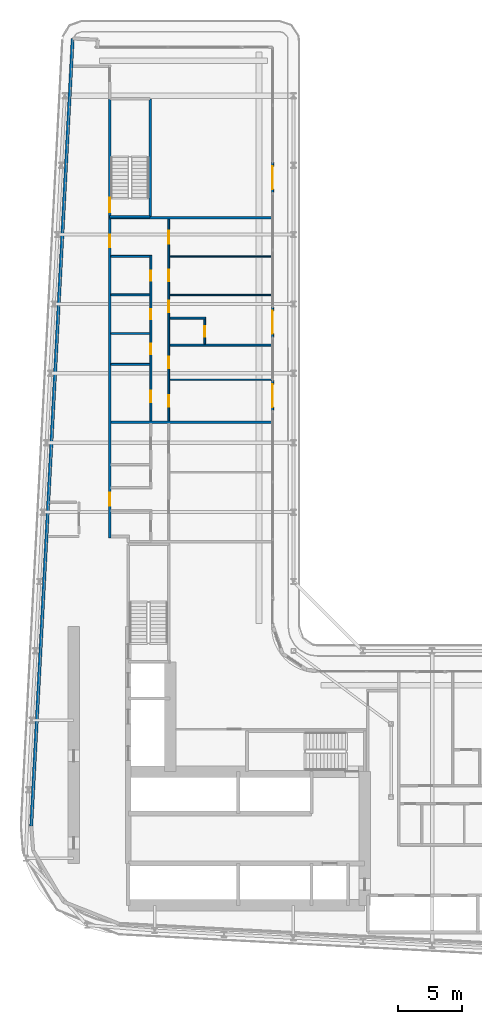
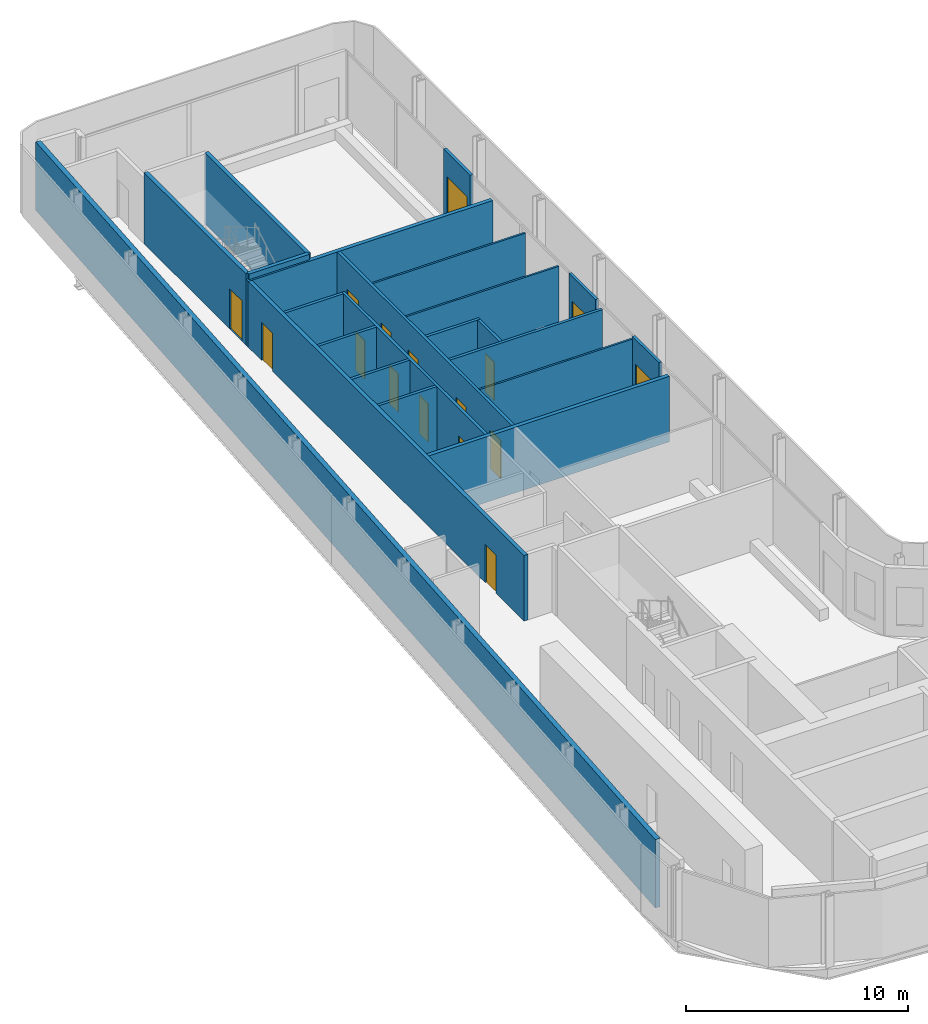
# One storey, part 16 of 25: 22 walls, 16 doors, 16 openings.
"""IFC4 building model written with IfcOpenShell, lengths in metres."""

from ifc_helpers import new_model, si_unit, direction, frame, frame_2d, origin, place, context, subcontext, project, spatial, rectangle, extrude, source, transform, mapped, material, layer, layer_set, type_object, element, fill, save


model = new_model("IFC4")

# Units and contexts
model_context = context("Model", 3, precision=1e-05, world=origin(), true_north=direction((0.0, 1.0)))
body_context = subcontext(model_context, "Body", "Model", "MODEL_VIEW")
ifc_project = project(units=[si_unit("LENGTHUNIT", "METRE"), si_unit("AREAUNIT", "SQUARE_METRE"), si_unit("VOLUMEUNIT", "CUBIC_METRE"), si_unit("PLANEANGLEUNIT", "RADIAN"), si_unit("MASSUNIT", "GRAM", prefix="KILO")], contexts=[model_context])

# Site, building, storey
site_placement = place(None, origin())
site = spatial("IfcSite", under=ifc_project, at=site_placement, CompositionType="ELEMENT")
building_placement = place(site_placement, origin())
building = spatial("IfcBuilding", under=site, at=building_placement, Name="Kheshtan School and Residences Tower", CompositionType="ELEMENT")
storey_placement = place(building_placement, frame((0.0, 0.0, 109.699951171875)))
storey = spatial("IfcBuildingStorey", under=building, at=storey_placement, Name="L25", CompositionType="ELEMENT", Elevation=109.699951171875)

# Wall, openings, doors
ifc_material_1 = material(Name="Gypsum board on steel studs with fire boards", Category="steel")
ifc_layer_1 = layer(ifc_material_1, 0.199951171875)
ifc_layer_set_1 = layer_set([ifc_layer_1], Name="Corridor wall 200")
wall_type_1 = type_object("IfcWallType", Name="Corridor wall 200", PredefinedType="PARTITIONING", material=ifc_layer_set_1)
wall_1_placement = place(storey_placement, frame((33.300048828125, 54.39990234375, 0.0), z_axis=(0.0, 0.0, 1.0), x_axis=(0.0, 1.0, 0.0)))
wall_1 = element("IfcWall", 1, at=wall_1_placement, inside=storey, type_object=wall_type_1, Name="Partition L25-003", PredefinedType="PARTITIONING", context=body_context, shape_type="SweptSolid", body=[
    extrude(rectangle(XDim=24.800048828125, YDim=0.199951171875, at=frame_2d((12.39990234375, 0.0))), origin(), (0.0, 0.0, 1.0), 3.60009765625),
])
opening_1_placement = place(wall_1_placement, frame((2.5, 0.0, 0.0)))
opening_1 = element("IfcOpeningElement", 2, at=opening_1_placement, cuts=wall_1, Name="Opening D25-035", PredefinedType="OPENING", context=body_context, shape_type="SweptSolid", body=[
    extrude(rectangle(XDim=1.0, YDim=2.10009765625, at=frame_2d((0.5, 1.050048828125))), frame((0.0, 0.10986328125, 0.0), z_axis=(0.0, -1.0, 0.0), x_axis=(1.0, 0.0, 0.0)), (0.0, 0.0, 1.0), 0.219970703125),
])
opening_2_placement = place(wall_1_placement, frame((22.60009765625, 0.0, 0.0)))
opening_2 = element("IfcOpeningElement", 3, at=opening_2_placement, cuts=wall_1, Name="Opening D25-044", PredefinedType="OPENING", context=body_context, shape_type="SweptSolid", body=[
    extrude(rectangle(XDim=1.0, YDim=2.10009765625, at=frame_2d((0.5, 1.050048828125))), frame((0.0, 0.10986328125, 0.0), z_axis=(0.0, -1.0, 0.0), x_axis=(1.0, 0.0, 0.0)), (0.0, 0.0, 1.0), 0.219970703125),
])
ifc_material_2 = material(Name="Steel-framed fire-resisting door leaf", Category="steel")
door_type_1 = type_object("IfcDoorType", Name="Fire door FD30S 1000 x 2100", OperationType="SINGLE_SWING_LEFT", PredefinedType="DOOR", material=ifc_material_2)
shared_shape_1 = source(origin(), body_context, "Body", "SweptSolid", [
    extrude(rectangle(XDim=1.0, YDim=2.10009765625, at=frame_2d((0.5, 1.050048828125))), frame((0.0, 0.02490234375, 0.0), z_axis=(0.0, -1.0, 0.0), x_axis=(1.0, 0.0, 0.0)), (0.0, 0.0, 1.0), 0.050048828125),
])
door_1_placement = place(opening_1_placement, origin())
door_1 = element("IfcDoor", 4, at=door_1_placement, inside=storey, type_object=door_type_1, Name="Door D25-035", OperationType="SINGLE_SWING_RIGHT", OverallHeight=2.10009765625, OverallWidth=1.0, PredefinedType="DOOR", context=body_context, shape_type="MappedRepresentation", body=[
    mapped(shared_shape_1, transform((0.0, 0.0, 0.0), x_axis=(1.0, 0.0, 0.0), y_axis=(0.0, 1.0, 0.0), z_axis=(0.0, 0.0, 1.0), scale=1.0)),
])
fill(opening_1, door_1)
door_2_placement = place(opening_2_placement, origin())
door_2 = element("IfcDoor", 5, at=door_2_placement, inside=storey, type_object=door_type_1, Name="Door D25-044", OperationType="SINGLE_SWING_RIGHT", OverallHeight=2.10009765625, OverallWidth=1.0, PredefinedType="DOOR", context=body_context, shape_type="MappedRepresentation", body=[
    mapped(shared_shape_1, transform((0.0, 0.0, 0.0), x_axis=(1.0, 0.0, 0.0), y_axis=(0.0, 1.0, 0.0), z_axis=(0.0, 0.0, 1.0), scale=1.0)),
])
fill(opening_2, door_2)

# Wall
ifc_material_3 = material(Name="Concrete C40/50 with ceramic cladding and mineral wool insulation", Category="concrete")
ifc_layer_2 = layer(ifc_material_3, 0.25)
ifc_layer_set_2 = layer_set([ifc_layer_2], Name="External wall 250 ceramic clad")
wall_type_2 = type_object("IfcWallType", Name="External wall 250 ceramic clad", PredefinedType="SOLIDWALL", material=ifc_layer_set_2)
wall_2_placement = place(storey_placement, frame((27.195068359375, 31.968994140625, 0.0), z_axis=(0.0, 0.0, 1.0), x_axis=(0.052555284099, 0.998618016117, 0.0)))
element("IfcWall", 6, at=wall_2_placement, inside=storey, type_object=wall_type_2, Name="External wall L25 16", PredefinedType="SOLIDWALL", context=body_context, shape_type="SweptSolid", body=[
    extrude(rectangle(XDim=61.379638671875, YDim=0.25, at=frame_2d((30.68994140625, 0.0))), origin(), (0.0, 0.0, 1.0), 3.75),
])

# Wall, opening, door
ifc_material_4 = material(Name="Aluminium frame wall with insulated infill", Category="aluminium")
ifc_layer_3 = layer(ifc_material_4, 0.14990234375)
ifc_layer_set_3 = layer_set([ifc_layer_3], Name="Glazing frame wall 150")
wall_type_3 = type_object("IfcWallType", Name="Glazing frame wall 150", PredefinedType="SOLIDWALL", material=ifc_layer_set_3)
wall_3_placement = place(storey_placement, frame((45.97509765625, 83.632080078125, 0.0), z_axis=(0.0, 0.0, 1.0), x_axis=(0.0, -1.0, 0.0)))
wall_3 = element("IfcWall", 7, at=wall_3_placement, inside=storey, type_object=wall_type_3, Name="Balcony door wall L25 4.1", PredefinedType="SOLIDWALL", context=body_context, shape_type="SweptSolid", body=[
    extrude(rectangle(XDim=2.399169921875, YDim=0.14990234375, at=frame_2d((1.19970703125, 0.0))), origin(), (0.0, 0.0, 1.0), 3.75),
])
opening_3_placement = place(wall_3_placement, frame((0.300048828125, 0.0, 0.0)))
opening_3 = element("IfcOpeningElement", 8, at=opening_3_placement, cuts=wall_3, Name="Opening BD", PredefinedType="OPENING", context=body_context, shape_type="SweptSolid", body=[
    extrude(rectangle(XDim=1.800048828125, YDim=2.39990234375, at=frame_2d((0.89990234375, 1.199951171875))), frame((0.0, 0.0849609375, 0.0), z_axis=(0.0, -1.0, 0.0), x_axis=(1.0, 0.0, 0.0)), (0.0, 0.0, 1.0), 0.169921875),
])
ifc_material_5 = material(Name="Clear low-e glass in thermally broken aluminium frame", Category="aluminium")
door_type_2 = type_object("IfcDoorType", Name="Balcony sliding door", OperationType="SLIDING_TO_LEFT", PredefinedType="DOOR", material=ifc_material_5)
shared_shape_2 = source(origin(), body_context, "Body", "SweptSolid", [
    extrude(rectangle(XDim=1.800048828125, YDim=2.39990234375, at=frame_2d((0.89990234375, 1.199951171875))), frame((0.0, 0.02490234375, 0.0), z_axis=(0.0, -1.0, 0.0), x_axis=(1.0, 0.0, 0.0)), (0.0, 0.0, 1.0), 0.050048828125),
])
door_3_placement = place(opening_3_placement, origin())
door_3 = element("IfcDoor", 9, at=door_3_placement, inside=storey, type_object=door_type_2, Name="Balcony door L25 4.1", OperationType="SLIDING_TO_LEFT", OverallHeight=2.39990234375, OverallWidth=1.800048828125, PredefinedType="DOOR", context=body_context, shape_type="MappedRepresentation", body=[
    mapped(shared_shape_2, transform((0.0, 0.0, 0.0), x_axis=(1.0, 0.0, 0.0), y_axis=(0.0, 1.0, 0.0), z_axis=(0.0, 0.0, 1.0), scale=1.0)),
])
fill(opening_3, door_3)

wall_4_placement = place(storey_placement, frame((45.97509765625, 72.364990234375, 0.0), z_axis=(0.0, 0.0, 1.0), x_axis=(0.0, -1.0, 0.0)))
wall_4 = element("IfcWall", 10, at=wall_4_placement, inside=storey, type_object=wall_type_3, Name="Balcony door wall L25 4.2", PredefinedType="SOLIDWALL", context=body_context, shape_type="SweptSolid", body=[
    extrude(rectangle(XDim=2.39990234375, YDim=0.14990234375, at=frame_2d((1.199951171875, 0.0))), origin(), (0.0, 0.0, 1.0), 3.75),
])
opening_4_placement = place(wall_4_placement, frame((0.300048828125, 0.0, 0.0)))
opening_4 = element("IfcOpeningElement", 11, at=opening_4_placement, cuts=wall_4, Name="Opening BD", PredefinedType="OPENING", context=body_context, shape_type="SweptSolid", body=[
    extrude(rectangle(XDim=1.800048828125, YDim=2.39990234375, at=frame_2d((0.89990234375, 1.199951171875))), frame((0.0, 0.0849609375, 0.0), z_axis=(0.0, -1.0, 0.0), x_axis=(1.0, 0.0, 0.0)), (0.0, 0.0, 1.0), 0.169921875),
])
door_4_placement = place(opening_4_placement, origin())
door_4 = element("IfcDoor", 12, at=door_4_placement, inside=storey, type_object=door_type_2, Name="Balcony door L25 4.2", OperationType="SLIDING_TO_LEFT", OverallHeight=2.39990234375, OverallWidth=1.800048828125, PredefinedType="DOOR", context=body_context, shape_type="MappedRepresentation", body=[
    mapped(shared_shape_2, transform((0.0, 0.0, 0.0), x_axis=(1.0, 0.0, 0.0), y_axis=(0.0, 1.0, 0.0), z_axis=(0.0, 0.0, 1.0), scale=1.0)),
])
fill(opening_4, door_4)

wall_5_placement = place(storey_placement, frame((45.97509765625, 66.6650390625, 0.0), z_axis=(0.0, 0.0, 1.0), x_axis=(0.0, -1.0, 0.0)))
wall_5 = element("IfcWall", 13, at=wall_5_placement, inside=storey, type_object=wall_type_3, Name="Balcony door wall L25 4.3", PredefinedType="SOLIDWALL", context=body_context, shape_type="SweptSolid", body=[
    extrude(rectangle(XDim=2.400146484375, YDim=0.14990234375, at=frame_2d((1.2001953125, 0.0))), origin(), (0.0, 0.0, 1.0), 3.75),
])
opening_5_placement = place(wall_5_placement, frame((0.300048828125, 0.0, 0.0)))
opening_5 = element("IfcOpeningElement", 14, at=opening_5_placement, cuts=wall_5, Name="Opening BD", PredefinedType="OPENING", context=body_context, shape_type="SweptSolid", body=[
    extrude(rectangle(XDim=1.800048828125, YDim=2.39990234375, at=frame_2d((0.89990234375, 1.199951171875))), frame((0.0, 0.0849609375, 0.0), z_axis=(0.0, -1.0, 0.0), x_axis=(1.0, 0.0, 0.0)), (0.0, 0.0, 1.0), 0.169921875),
])
door_5_placement = place(opening_5_placement, origin())
door_5 = element("IfcDoor", 15, at=door_5_placement, inside=storey, type_object=door_type_2, Name="Balcony door L25 4.3", OperationType="SLIDING_TO_LEFT", OverallHeight=2.39990234375, OverallWidth=1.800048828125, PredefinedType="DOOR", context=body_context, shape_type="MappedRepresentation", body=[
    mapped(shared_shape_2, transform((0.0, 0.0, 0.0), x_axis=(1.0, 0.0, 0.0), y_axis=(0.0, 1.0, 0.0), z_axis=(0.0, 0.0, 1.0), scale=1.0)),
])
fill(opening_5, door_5)

# Walls
ifc_material_6 = material(Name="Gypsum board on steel studs", Category="steel")
ifc_layer_4 = layer(ifc_material_6, 0.10009765625)
ifc_layer_set_4 = layer_set([ifc_layer_4], Name="Gypsum partition 100")
wall_type_4 = type_object("IfcWallType", Name="Gypsum partition 100", PredefinedType="PARTITIONING", material=ifc_layer_set_4)
for number, where, z_axis, x_axis, name in (
    (16, (37.97509765625, 66.699951171875, 0.0), (0.0, 0.0, 1.0), (1.0, 0.0, 0.0), "Partition L25-023"),
    (17, (37.97509765625, 73.300048828125, 0.0), (0.0, 0.0, 1.0), (1.0, 0.0, 0.0), "Partition L25-026"),
    (18, (37.97509765625, 76.300048828125, 0.0), (0.0, 0.0, 1.0), (1.0, 0.0, 0.0), "Partition L25-027"),
):
    element("IfcWall", number, at=place(storey_placement, frame(where, z_axis=z_axis, x_axis=x_axis)), inside=storey, type_object=wall_type_4, Name=name, PredefinedType="PARTITIONING", context=body_context, shape_type="SweptSolid", body=[
        extrude(rectangle(XDim=7.9248046875, YDim=0.10009765625, at=frame_2d((3.96240234375, 0.0))), origin(), (0.0, 0.0, 1.0), 3.60009765625),
    ])
ifc_material_7 = material(Name="Concrete C40/50", Category="concrete")
ifc_layer_5 = layer(ifc_material_7, 0.199951171875)
ifc_layer_set_5 = layer_set([ifc_layer_5], Name="Stair enclosure wall 200 Concrete C40/50")
wall_type_5 = type_object("IfcWallType", Name="Stair enclosure wall 200 Concrete C40/50", PredefinedType="SHEAR", material=ifc_layer_set_5)
wall_6_placement = place(storey_placement, frame((33.300048828125, 79.39990234375, 0.0), z_axis=(0.0, 0.0, 1.0), x_axis=(1.0, 0.0, 0.0)))
element("IfcWall", 19, at=wall_6_placement, inside=storey, type_object=wall_type_5, Name="Stair enclosure wall ST3", PredefinedType="SHEAR", context=body_context, shape_type="SweptSolid", body=[
    extrude(rectangle(XDim=3.14990234375, YDim=0.199951171875, at=frame_2d((1.574951171875, 0.0))), origin(), (0.0, 0.0, 1.0), 3.900146484375),
])

# Wall, opening, door
wall_7_placement = place(storey_placement, frame((33.300048828125, 79.39990234375, 0.0), z_axis=(0.0, 0.0, 1.0), x_axis=(0.0, 1.0, 0.0)))
wall_7 = element("IfcWall", 20, at=wall_7_placement, inside=storey, type_object=wall_type_5, Name="Stair enclosure wall ST3", PredefinedType="SHEAR", context=body_context, shape_type="SweptSolid", body=[
    extrude(rectangle(XDim=9.16015625, YDim=0.199951171875, at=frame_2d((4.580078125, 0.0))), origin(), (0.0, 0.0, 1.0), 3.900146484375),
])
opening_6_placement = place(wall_7_placement, frame((0.35009765625, 0.0, 0.0)))
opening_6 = element("IfcOpeningElement", 21, at=opening_6_placement, cuts=wall_7, Name="Opening ST3D", PredefinedType="OPENING", context=body_context, shape_type="SweptSolid", body=[
    extrude(rectangle(XDim=1.10009765625, YDim=2.199951171875, at=frame_2d((0.550048828125, 1.10009765625))), frame((0.0, 0.10986328125, 0.0), z_axis=(0.0, -1.0, 0.0), x_axis=(1.0, 0.0, 0.0)), (0.0, 0.0, 1.0), 0.219970703125),
])
ifc_material_8 = material(Name="Steel door leaf, galvanised", Category="steel")
door_type_3 = type_object("IfcDoorType", Name="Stair door 1100 steel 90 min", OperationType="SINGLE_SWING_LEFT", PredefinedType="DOOR", material=ifc_material_8)
shared_shape_3 = source(origin(), body_context, "Body", "SweptSolid", [
    extrude(rectangle(XDim=1.10009765625, YDim=2.199951171875, at=frame_2d((0.550048828125, 1.10009765625))), frame((0.0, 0.02490234375, 0.0), z_axis=(0.0, -1.0, 0.0), x_axis=(1.0, 0.0, 0.0)), (0.0, 0.0, 1.0), 0.050048828125),
])
door_6_placement = place(opening_6_placement, origin())
door_6 = element("IfcDoor", 22, at=door_6_placement, inside=storey, type_object=door_type_3, Name="Stair ST3 door", OperationType="SINGLE_SWING_RIGHT", OverallHeight=2.199951171875, OverallWidth=1.10009765625, PredefinedType="DOOR", context=body_context, shape_type="MappedRepresentation", body=[
    mapped(shared_shape_3, transform((0.0, 0.0, 0.0), x_axis=(1.0, 0.0, 0.0), y_axis=(0.0, 1.0, 0.0), z_axis=(0.0, 0.0, 1.0), scale=1.0)),
])
fill(opening_6, door_6)

# Walls
wall_8_placement = place(storey_placement, frame((36.449951171875, 79.39990234375, 0.0), z_axis=(0.0, 0.0, 1.0), x_axis=(0.0, 1.0, 0.0)))
element("IfcWall", 23, at=wall_8_placement, inside=storey, type_object=wall_type_5, Name="Stair enclosure wall ST3", PredefinedType="SHEAR", context=body_context, shape_type="SweptSolid", body=[
    extrude(rectangle(XDim=9.16015625, YDim=0.199951171875, at=frame_2d((4.580078125, 0.0))), origin(), (0.0, 0.0, 1.0), 3.900146484375),
])
ifc_material_9 = material(Name="Twin gypsum board on steel studs with mineral wool", Category="steel")
ifc_layer_6 = layer(ifc_material_9, 0.199951171875)
ifc_layer_set_6 = layer_set([ifc_layer_6], Name="Unit demising wall 200")
wall_type_6 = type_object("IfcWallType", Name="Unit demising wall 200", PredefinedType="PARTITIONING", material=ifc_layer_set_6)
wall_9_placement = place(storey_placement, frame((33.199951171875, 79.300048828125, 0.0), z_axis=(0.0, 0.0, 1.0), x_axis=(1.0, 0.0, 0.0)))
element("IfcWall", 24, at=wall_9_placement, inside=storey, type_object=wall_type_6, Name="Partition L25-002", PredefinedType="PARTITIONING", context=body_context, shape_type="SweptSolid", body=[
    extrude(rectangle(XDim=12.699951171875, YDim=0.199951171875, at=frame_2d((6.35009765625, 0.0))), origin(), (0.0, 0.0, 1.0), 3.60009765625),
])
wall_10_placement = place(storey_placement, frame((33.39990234375, 63.39990234375, 0.0), z_axis=(0.0, 0.0, 1.0), x_axis=(1.0, 0.0, 0.0)))
element("IfcWall", 25, at=wall_10_placement, inside=storey, type_object=wall_type_6, Name="Partition L25-009", PredefinedType="PARTITIONING", context=body_context, shape_type="SweptSolid", body=[
    extrude(rectangle(XDim=12.5, YDim=0.199951171875, at=frame_2d((6.25, 0.0))), origin(), (0.0, 0.0, 1.0), 3.60009765625),
])
ifc_material_10 = material(Name="Moisture-resistant gypsum board on steel studs", Category="steel")
ifc_layer_7 = layer(ifc_material_10, 0.14990234375)
ifc_layer_set_7 = layer_set([ifc_layer_7], Name="Wet-room partition 150")
wall_type_7 = type_object("IfcWallType", Name="Wet-room partition 150", PredefinedType="PARTITIONING", material=ifc_layer_set_7)
for number, where, z_axis, x_axis, name in (
    (26, (33.39990234375, 67.89990234375, 0.0), (0.0, 0.0, 1.0), (1.0, 0.0, 0.0), "Partition L25-010"),
    (27, (33.39990234375, 70.300048828125, 0.0), (0.0, 0.0, 1.0), (1.0, 0.0, 0.0), "Partition L25-011"),
    (28, (33.39990234375, 73.300048828125, 0.0), (0.0, 0.0, 1.0), (1.0, 0.0, 0.0), "Partition L25-012"),
    (29, (33.39990234375, 76.300048828125, 0.0), (0.0, 0.0, 1.0), (1.0, 0.0, 0.0), "Partition L25-013"),
):
    element("IfcWall", number, at=place(storey_placement, frame(where, z_axis=z_axis, x_axis=x_axis)), inside=storey, type_object=wall_type_7, Name=name, PredefinedType="PARTITIONING", context=body_context, shape_type="SweptSolid", body=[
        extrude(rectangle(XDim=3.025146484375, YDim=0.14990234375, at=frame_2d((1.5126953125, 0.0))), origin(), (0.0, 0.0, 1.0), 3.60009765625),
    ])

# Wall, openings, doors
wall_11_placement = place(storey_placement, frame((36.5, 63.5, 0.0), z_axis=(0.0, 0.0, 1.0), x_axis=(0.0, 1.0, 0.0)))
wall_11 = element("IfcWall", 30, at=wall_11_placement, inside=storey, type_object=wall_type_7, Name="Partition L25-019", PredefinedType="PARTITIONING", context=body_context, shape_type="SweptSolid", body=[
    extrude(rectangle(XDim=12.875, YDim=0.14990234375, at=frame_2d((6.4375, 0.0))), origin(), (0.0, 0.0, 1.0), 3.60009765625),
])
opening_7_placement = place(wall_11_placement, frame((7.89990234375, 0.0, 0.0)))
opening_7 = element("IfcOpeningElement", 31, at=opening_7_placement, cuts=wall_11, Name="Opening D25-039", PredefinedType="OPENING", context=body_context, shape_type="SweptSolid", body=[
    extrude(rectangle(XDim=0.800048828125, YDim=2.10009765625, at=frame_2d((0.39990234375, 1.050048828125))), frame((0.0, 0.0849609375, 0.0), z_axis=(0.0, -1.0, 0.0), x_axis=(1.0, 0.0, 0.0)), (0.0, 0.0, 1.0), 0.169921875),
])
opening_8_placement = place(wall_11_placement, frame((10.89990234375, 0.0, 0.0)))
opening_8 = element("IfcOpeningElement", 32, at=opening_8_placement, cuts=wall_11, Name="Opening D25-040", PredefinedType="OPENING", context=body_context, shape_type="SweptSolid", body=[
    extrude(rectangle(XDim=0.800048828125, YDim=2.10009765625, at=frame_2d((0.39990234375, 1.050048828125))), frame((0.0, 0.0849609375, 0.0), z_axis=(0.0, -1.0, 0.0), x_axis=(1.0, 0.0, 0.0)), (0.0, 0.0, 1.0), 0.169921875),
])
opening_9_placement = place(wall_11_placement, frame((1.449951171875, 0.0, 0.0)))
opening_9 = element("IfcOpeningElement", 33, at=opening_9_placement, cuts=wall_11, Name="Opening D25-045", PredefinedType="OPENING", context=body_context, shape_type="SweptSolid", body=[
    extrude(rectangle(XDim=0.89990234375, YDim=2.10009765625, at=frame_2d((0.449951171875, 1.050048828125))), frame((0.0, 0.0849609375, 0.0), z_axis=(0.0, -1.0, 0.0), x_axis=(1.0, 0.0, 0.0)), (0.0, 0.0, 1.0), 0.169921875),
])
opening_10_placement = place(wall_11_placement, frame((5.199951171875, 0.0, 0.0)))
opening_10 = element("IfcOpeningElement", 34, at=opening_10_placement, cuts=wall_11, Name="Opening D25-049", PredefinedType="OPENING", context=body_context, shape_type="SweptSolid", body=[
    extrude(rectangle(XDim=0.800048828125, YDim=2.10009765625, at=frame_2d((0.39990234375, 1.050048828125))), frame((0.0, 0.0849609375, 0.0), z_axis=(0.0, -1.0, 0.0), x_axis=(1.0, 0.0, 0.0)), (0.0, 0.0, 1.0), 0.169921875),
])
ifc_material_11 = material(Name="Veneered timber door leaf", Category="wood")
door_type_4 = type_object("IfcDoorType", Name="Door 800 x 2100", OperationType="SINGLE_SWING_LEFT", PredefinedType="DOOR", material=ifc_material_11)
shared_shape_4 = source(origin(), body_context, "Body", "SweptSolid", [
    extrude(rectangle(XDim=0.800048828125, YDim=2.10009765625, at=frame_2d((0.39990234375, 1.050048828125))), frame((0.0, 0.02490234375, 0.0), z_axis=(0.0, -1.0, 0.0), x_axis=(1.0, 0.0, 0.0)), (0.0, 0.0, 1.0), 0.050048828125),
])
door_7_placement = place(opening_7_placement, origin())
door_7 = element("IfcDoor", 35, at=door_7_placement, inside=storey, type_object=door_type_4, Name="Door D25-039", OperationType="SINGLE_SWING_LEFT", OverallHeight=2.10009765625, OverallWidth=0.800048828125, PredefinedType="DOOR", context=body_context, shape_type="MappedRepresentation", body=[
    mapped(shared_shape_4, transform((0.0, 0.0, 0.0), x_axis=(1.0, 0.0, 0.0), y_axis=(0.0, 1.0, 0.0), z_axis=(0.0, 0.0, 1.0), scale=1.0)),
])
fill(opening_7, door_7)
door_8_placement = place(opening_8_placement, origin())
door_8 = element("IfcDoor", 36, at=door_8_placement, inside=storey, type_object=door_type_4, Name="Door D25-040", OperationType="SINGLE_SWING_LEFT", OverallHeight=2.10009765625, OverallWidth=0.800048828125, PredefinedType="DOOR", context=body_context, shape_type="MappedRepresentation", body=[
    mapped(shared_shape_4, transform((0.0, 0.0, 0.0), x_axis=(1.0, 0.0, 0.0), y_axis=(0.0, 1.0, 0.0), z_axis=(0.0, 0.0, 1.0), scale=1.0)),
])
fill(opening_8, door_8)
door_9_placement = place(opening_10_placement, origin())
door_9 = element("IfcDoor", 37, at=door_9_placement, inside=storey, type_object=door_type_4, Name="Door D25-049", OperationType="SINGLE_SWING_RIGHT", OverallHeight=2.10009765625, OverallWidth=0.800048828125, PredefinedType="DOOR", context=body_context, shape_type="MappedRepresentation", body=[
    mapped(shared_shape_4, transform((0.0, 0.0, 0.0), x_axis=(1.0, 0.0, 0.0), y_axis=(0.0, 1.0, 0.0), z_axis=(0.0, 0.0, 1.0), scale=1.0)),
])
fill(opening_10, door_9)
door_type_5 = type_object("IfcDoorType", Name="Door 900 x 2100", OperationType="SINGLE_SWING_LEFT", PredefinedType="DOOR", material=ifc_material_11)
shared_shape_5 = source(origin(), body_context, "Body", "SweptSolid", [
    extrude(rectangle(XDim=0.89990234375, YDim=2.10009765625, at=frame_2d((0.449951171875, 1.050048828125))), frame((0.0, 0.02490234375, 0.0), z_axis=(0.0, -1.0, 0.0), x_axis=(1.0, 0.0, 0.0)), (0.0, 0.0, 1.0), 0.050048828125),
])
door_10_placement = place(opening_9_placement, origin())
door_10 = element("IfcDoor", 38, at=door_10_placement, inside=storey, type_object=door_type_5, Name="Door D25-045", OperationType="SINGLE_SWING_RIGHT", OverallHeight=2.10009765625, OverallWidth=0.89990234375, PredefinedType="DOOR", context=body_context, shape_type="MappedRepresentation", body=[
    mapped(shared_shape_5, transform((0.0, 0.0, 0.0), x_axis=(1.0, 0.0, 0.0), y_axis=(0.0, 1.0, 0.0), z_axis=(0.0, 0.0, 1.0), scale=1.0)),
])
fill(opening_9, door_10)

wall_12_placement = place(storey_placement, frame((37.89990234375, 63.5, 0.0), z_axis=(0.0, 0.0, 1.0), x_axis=(0.0, 1.0, 0.0)))
wall_12 = element("IfcWall", 39, at=wall_12_placement, inside=storey, type_object=wall_type_7, Name="Partition L25-021", PredefinedType="PARTITIONING", context=body_context, shape_type="SweptSolid", body=[
    extrude(rectangle(XDim=15.699951171875, YDim=0.14990234375, at=frame_2d((7.85009765625, 0.0))), origin(), (0.0, 0.0, 1.0), 3.60009765625),
])
opening_11_placement = place(wall_12_placement, frame((1.10009765625, 0.0, 0.0)))
opening_11 = element("IfcOpeningElement", 40, at=opening_11_placement, cuts=wall_12, Name="Opening D25-041", PredefinedType="OPENING", context=body_context, shape_type="SweptSolid", body=[
    extrude(rectangle(XDim=0.89990234375, YDim=2.10009765625, at=frame_2d((0.449951171875, 1.050048828125))), frame((0.0, 0.0849609375, 0.0), z_axis=(0.0, -1.0, 0.0), x_axis=(1.0, 0.0, 0.0)), (0.0, 0.0, 1.0), 0.169921875),
])
opening_12_placement = place(wall_12_placement, frame((10.85009765625, 0.0, 0.0)))
opening_12 = element("IfcOpeningElement", 41, at=opening_12_placement, cuts=wall_12, Name="Opening D25-042", PredefinedType="OPENING", context=body_context, shape_type="SweptSolid", body=[
    extrude(rectangle(XDim=0.89990234375, YDim=2.10009765625, at=frame_2d((0.449951171875, 1.050048828125))), frame((0.0, 0.0849609375, 0.0), z_axis=(0.0, -1.0, 0.0), x_axis=(1.0, 0.0, 0.0)), (0.0, 0.0, 1.0), 0.169921875),
])
opening_13_placement = place(wall_12_placement, frame((13.800048828125, 0.0, 0.0)))
opening_13 = element("IfcOpeningElement", 42, at=opening_13_placement, cuts=wall_12, Name="Opening D25-046", PredefinedType="OPENING", context=body_context, shape_type="SweptSolid", body=[
    extrude(rectangle(XDim=1.0, YDim=2.10009765625, at=frame_2d((0.5, 1.050048828125))), frame((0.0, 0.0849609375, 0.0), z_axis=(0.0, -1.0, 0.0), x_axis=(1.0, 0.0, 0.0)), (0.0, 0.0, 1.0), 0.169921875),
])
opening_14_placement = place(wall_12_placement, frame((4.10009765625, 0.0, 0.0)))
opening_14 = element("IfcOpeningElement", 43, at=opening_14_placement, cuts=wall_12, Name="Opening D25-047", PredefinedType="OPENING", context=body_context, shape_type="SweptSolid", body=[
    extrude(rectangle(XDim=0.89990234375, YDim=2.10009765625, at=frame_2d((0.449951171875, 1.050048828125))), frame((0.0, 0.0849609375, 0.0), z_axis=(0.0, -1.0, 0.0), x_axis=(1.0, 0.0, 0.0)), (0.0, 0.0, 1.0), 0.169921875),
])
opening_15_placement = place(wall_12_placement, frame((8.449951171875, 0.0, 0.0)))
opening_15 = element("IfcOpeningElement", 44, at=opening_15_placement, cuts=wall_12, Name="Opening D25-048", PredefinedType="OPENING", context=body_context, shape_type="SweptSolid", body=[
    extrude(rectangle(XDim=0.89990234375, YDim=2.10009765625, at=frame_2d((0.449951171875, 1.050048828125))), frame((0.0, 0.0849609375, 0.0), z_axis=(0.0, -1.0, 0.0), x_axis=(1.0, 0.0, 0.0)), (0.0, 0.0, 1.0), 0.169921875),
])
door_type_6 = type_object("IfcDoorType", Name="Door 1000 x 2100", OperationType="SINGLE_SWING_LEFT", PredefinedType="DOOR", material=ifc_material_11)
shared_shape_6 = source(origin(), body_context, "Body", "SweptSolid", [
    extrude(rectangle(XDim=1.0, YDim=2.10009765625, at=frame_2d((0.5, 1.050048828125))), frame((0.0, 0.02490234375, 0.0), z_axis=(0.0, -1.0, 0.0), x_axis=(1.0, 0.0, 0.0)), (0.0, 0.0, 1.0), 0.050048828125),
])
door_11_placement = place(opening_13_placement, origin())
door_11 = element("IfcDoor", 45, at=door_11_placement, inside=storey, type_object=door_type_6, Name="Door D25-046", OperationType="SINGLE_SWING_LEFT", OverallHeight=2.10009765625, OverallWidth=1.0, PredefinedType="DOOR", context=body_context, shape_type="MappedRepresentation", body=[
    mapped(shared_shape_6, transform((0.0, 0.0, 0.0), x_axis=(1.0, 0.0, 0.0), y_axis=(0.0, 1.0, 0.0), z_axis=(0.0, 0.0, 1.0), scale=1.0)),
])
fill(opening_13, door_11)
door_12_placement = place(opening_11_placement, origin())
door_12 = element("IfcDoor", 46, at=door_12_placement, inside=storey, type_object=door_type_5, Name="Door D25-041", OperationType="SINGLE_SWING_RIGHT", OverallHeight=2.10009765625, OverallWidth=0.89990234375, PredefinedType="DOOR", context=body_context, shape_type="MappedRepresentation", body=[
    mapped(shared_shape_5, transform((0.0, 0.0, 0.0), x_axis=(1.0, 0.0, 0.0), y_axis=(0.0, 1.0, 0.0), z_axis=(0.0, 0.0, 1.0), scale=1.0)),
])
fill(opening_11, door_12)
door_13_placement = place(opening_12_placement, origin())
door_13 = element("IfcDoor", 47, at=door_13_placement, inside=storey, type_object=door_type_5, Name="Door D25-042", OperationType="SINGLE_SWING_LEFT", OverallHeight=2.10009765625, OverallWidth=0.89990234375, PredefinedType="DOOR", context=body_context, shape_type="MappedRepresentation", body=[
    mapped(shared_shape_5, transform((0.0, 0.0, 0.0), x_axis=(1.0, 0.0, 0.0), y_axis=(0.0, 1.0, 0.0), z_axis=(0.0, 0.0, 1.0), scale=1.0)),
])
fill(opening_12, door_13)
door_14_placement = place(opening_14_placement, origin())
door_14 = element("IfcDoor", 48, at=door_14_placement, inside=storey, type_object=door_type_5, Name="Door D25-047", OperationType="SINGLE_SWING_RIGHT", OverallHeight=2.10009765625, OverallWidth=0.89990234375, PredefinedType="DOOR", context=body_context, shape_type="MappedRepresentation", body=[
    mapped(shared_shape_5, transform((0.0, 0.0, 0.0), x_axis=(1.0, 0.0, 0.0), y_axis=(0.0, 1.0, 0.0), z_axis=(0.0, 0.0, 1.0), scale=1.0)),
])
fill(opening_14, door_14)
door_15_placement = place(opening_15_placement, origin())
door_15 = element("IfcDoor", 49, at=door_15_placement, inside=storey, type_object=door_type_5, Name="Door D25-048", OperationType="SINGLE_SWING_LEFT", OverallHeight=2.10009765625, OverallWidth=0.89990234375, PredefinedType="DOOR", context=body_context, shape_type="MappedRepresentation", body=[
    mapped(shared_shape_5, transform((0.0, 0.0, 0.0), x_axis=(1.0, 0.0, 0.0), y_axis=(0.0, 1.0, 0.0), z_axis=(0.0, 0.0, 1.0), scale=1.0)),
])
fill(opening_15, door_15)

# Walls
wall_13_placement = place(storey_placement, frame((37.97509765625, 69.39990234375, 0.0), z_axis=(0.0, 0.0, 1.0), x_axis=(1.0, 0.0, 0.0)))
element("IfcWall", 50, at=wall_13_placement, inside=storey, type_object=wall_type_7, Name="Partition L25-024", PredefinedType="PARTITIONING", context=body_context, shape_type="SweptSolid", body=[
    extrude(rectangle(XDim=7.9248046875, YDim=0.14990234375, at=frame_2d((3.96240234375, 0.0))), origin(), (0.0, 0.0, 1.0), 3.60009765625),
])
wall_14_placement = place(storey_placement, frame((37.97509765625, 71.5, 0.0), z_axis=(0.0, 0.0, 1.0), x_axis=(1.0, 0.0, 0.0)))
element("IfcWall", 51, at=wall_14_placement, inside=storey, type_object=wall_type_7, Name="Partition L25-025", PredefinedType="PARTITIONING", context=body_context, shape_type="SweptSolid", body=[
    extrude(rectangle(XDim=2.7998046875, YDim=0.14990234375, at=frame_2d((1.39990234375, 0.0))), origin(), (0.0, 0.0, 1.0), 3.60009765625),
])

# Wall, opening, door
wall_15_placement = place(storey_placement, frame((40.699951171875, 69.47509765625, 0.0), z_axis=(0.0, 0.0, 1.0), x_axis=(0.0, 1.0, 0.0)))
wall_15 = element("IfcWall", 52, at=wall_15_placement, inside=storey, type_object=wall_type_7, Name="Partition L25-029", PredefinedType="PARTITIONING", context=body_context, shape_type="SweptSolid", body=[
    extrude(rectangle(XDim=1.949951171875, YDim=0.14990234375, at=frame_2d((0.97509765625, 0.0))), origin(), (0.0, 0.0, 1.0), 3.60009765625),
])
opening_16_placement = place(wall_15_placement, frame((0.574951171875, 0.0, 0.0)))
opening_16 = element("IfcOpeningElement", 53, at=opening_16_placement, cuts=wall_15, Name="Opening D25-043", PredefinedType="OPENING", context=body_context, shape_type="SweptSolid", body=[
    extrude(rectangle(XDim=0.800048828125, YDim=2.10009765625, at=frame_2d((0.39990234375, 1.050048828125))), frame((0.0, 0.0849609375, 0.0), z_axis=(0.0, -1.0, 0.0), x_axis=(1.0, 0.0, 0.0)), (0.0, 0.0, 1.0), 0.169921875),
])
door_16_placement = place(opening_16_placement, origin())
door_16 = element("IfcDoor", 54, at=door_16_placement, inside=storey, type_object=door_type_4, Name="Door D25-043", OperationType="SINGLE_SWING_RIGHT", OverallHeight=2.10009765625, OverallWidth=0.800048828125, PredefinedType="DOOR", context=body_context, shape_type="MappedRepresentation", body=[
    mapped(shared_shape_4, transform((0.0, 0.0, 0.0), x_axis=(1.0, 0.0, 0.0), y_axis=(0.0, 1.0, 0.0), z_axis=(0.0, 0.0, 1.0), scale=1.0)),
])
fill(opening_16, door_16)

save(model, "model.ifc")
